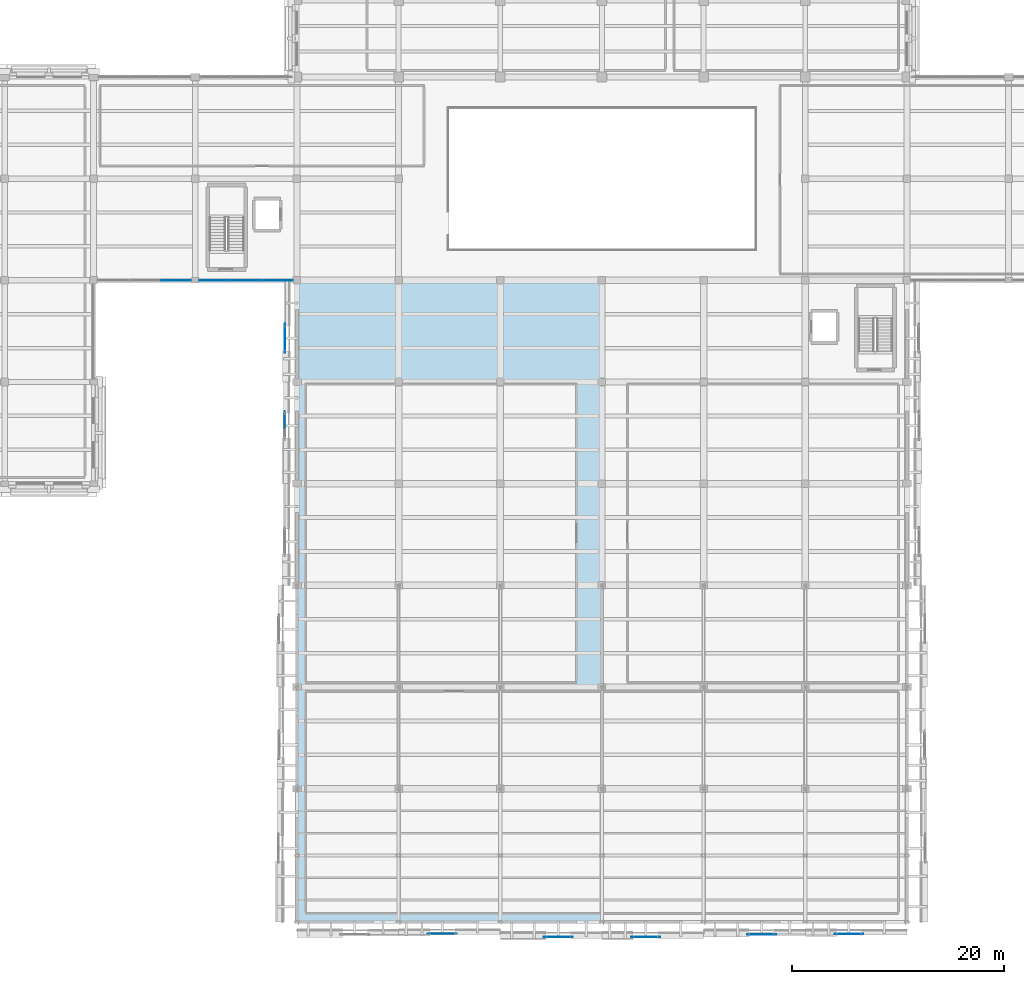
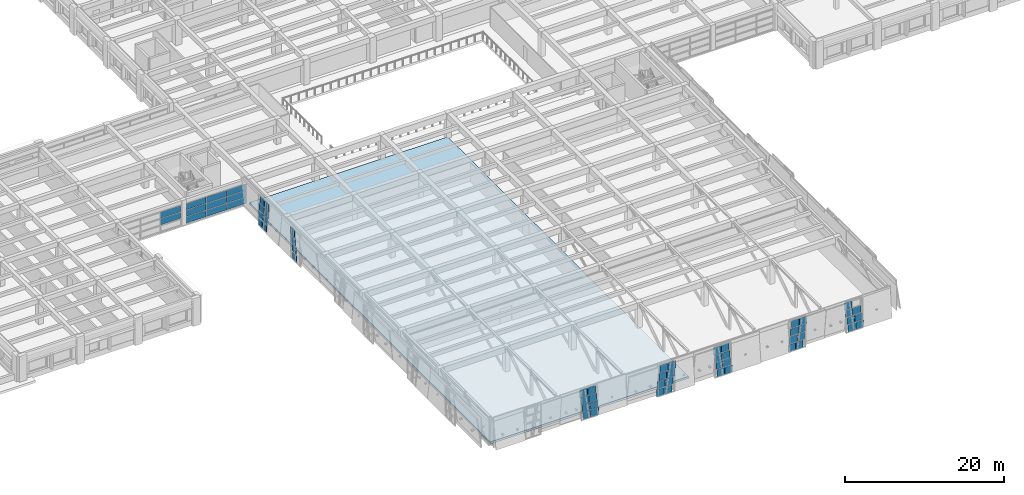
# One storey, part 31 of 62: 62 plates, 1 slab, 9 elements without a shape of their own.
"""IFC4 building model written with IfcOpenShell, lengths in metres."""

import ifcopenshell
import ifcopenshell.guid

model = None  # the IFC model being written
_history = None  # IfcOwnerHistory: only IFC2X3 demands one
_inside = {}  # id of a spatial element -> (the spatial element, [elements in it])
_under = {}  # id of a project, library or spatial element -> (it, [spatial elements below it])
_declared = {}  # id of a project -> (the project, [libraries it declares])
_typed = {}  # id of a type object -> (the type object, [elements of that type])
_made_of = {}  # id of a material, layer set ... -> (it, [elements and type objects made of it])


def new_model(schema):
    """Start an empty IFC model of exactly this schema.

    Asked for "IFC4X3", IfcOpenShell would pick the latest addendum, in which some entities
    have other attributes; the version numbers below select the first issue.
    IFC2X3 requires an IfcOwnerHistory on every rooted entity: one is made here for all.
    """
    global model, _history
    if schema == "IFC4X3":
        model = ifcopenshell.file(schema_version=(4, 3, 0, 0))
    else:
        model = ifcopenshell.file(schema=schema)
    _inside.clear()
    _under.clear()
    _declared.clear()
    _typed.clear()
    _made_of.clear()
    _history = None
    if model.schema == "IFC2X3":
        org = make("IfcOrganization", Name="unknown")
        user = make(
            "IfcPersonAndOrganization",
            ThePerson=make("IfcPerson", FamilyName="unknown"),
            TheOrganization=org,
        )
        app = make(
            "IfcApplication",
            ApplicationDeveloper=org,
            Version="unknown",
            ApplicationFullName="unknown",
            ApplicationIdentifier="unknown",
        )
        _history = make(
            "IfcOwnerHistory",
            OwningUser=user,
            OwningApplication=app,
            ChangeAction="ADDED",
            CreationDate=0,
        )
    return model


def make(cls, **values):
    """One entity of the class cls with the attributes given. An attribute that is None is left unset."""
    return model.create_entity(
        cls, **{name: value for name, value in values.items() if value is not None}
    )


def rooted(cls, **values):
    """An entity with a GlobalId (a new one), such as an element, a storey or a relation."""
    return make(cls, GlobalId=ifcopenshell.guid.new(), OwnerHistory=_history, **values)


def si_unit(unit_type, name, prefix=None):
    """IfcSIUnit, for example si_unit("LENGTHUNIT", "METRE", prefix="MILLI")."""
    return make("IfcSIUnit", UnitType=unit_type, Prefix=prefix, Name=name)


def assignment(units):
    """IfcUnitAssignment: the units of a project."""
    return None if units is None else make("IfcUnitAssignment", Units=units)


def point(xyz):
    """IfcCartesianPoint."""
    return None if xyz is None else make("IfcCartesianPoint", Coordinates=xyz)


def direction(xyz):
    """IfcDirection."""
    return None if xyz is None else make("IfcDirection", DirectionRatios=xyz)


def frame(location, z_axis=None, x_axis=None):
    """IfcAxis2Placement3D, a coordinate frame: its origin and axes. An axis left out is left unset."""
    return make(
        "IfcAxis2Placement3D",
        Location=point(location),
        Axis=direction(z_axis),
        RefDirection=direction(x_axis),
    )


def frame_2d(location, x_axis=None):
    """IfcAxis2Placement2D, a coordinate frame in the plane: its origin and x axis."""
    return make(
        "IfcAxis2Placement2D", Location=point(location), RefDirection=direction(x_axis)
    )


def origin():
    """The frame at (0, 0, 0) with its axes left unset."""
    return frame((0.0, 0.0, 0.0))


def origin_2d():
    """The frame at (0, 0) in the plane with its x axis left unset."""
    return frame_2d((0.0, 0.0))


def place(relative_to, where):
    """IfcLocalPlacement: puts the frame where relative to a parent placement (None: the world)."""
    return make(
        "IfcLocalPlacement", PlacementRelTo=relative_to, RelativePlacement=where
    )


def context(
    kind, dimensions, precision=None, world=None, true_north=None, identifier=None
):
    """IfcGeometricRepresentationContext, for example the 3D "Model" context."""
    return make(
        "IfcGeometricRepresentationContext",
        ContextIdentifier=identifier,
        ContextType=kind,
        CoordinateSpaceDimension=dimensions,
        Precision=precision,
        WorldCoordinateSystem=world,
        TrueNorth=true_north,
    )


def subcontext(parent, identifier, kind, view, scale=None):
    """IfcGeometricRepresentationSubContext, for example "Body" below "Model"."""
    return make(
        "IfcGeometricRepresentationSubContext",
        ContextIdentifier=identifier,
        ContextType=kind,
        ParentContext=parent,
        TargetScale=scale,
        TargetView=view,
    )


def project(units=None, contexts=None):
    """IfcProject with its units and contexts."""
    return rooted(
        "IfcProject",
        Name="project",
        RepresentationContexts=contexts,
        UnitsInContext=assignment(units),
    )


def spatial(cls, under=None, at=None, **own):
    """A site, building, storey or space (cls), placed at a placement, below another one or the project."""
    s = rooted(cls, ObjectPlacement=at, **own)
    if under is not None:
        _under.setdefault(under.id(), (under, []))[1].append(s)
    return s


def polyline(points):
    """IfcPolyline through the points."""
    return make("IfcPolyline", Points=[point(p) for p in points])


def profile(cls, at=None, kind="AREA", **sizes):
    """A parametric profile (cls). Its sizes go by their IFC names, for example OverallWidth=200.0."""
    return make(cls, ProfileType=kind, Position=at, **sizes)


def rectangle(**sizes):
    """IfcRectangleProfileDef."""
    return profile("IfcRectangleProfileDef", **sizes)


def outline(outer, holes=None, kind="AREA"):
    """IfcArbitraryClosedProfileDef: a profile drawn as a closed curve; with holes, ...WithVoids."""
    if holes is None:
        return make("IfcArbitraryClosedProfileDef", ProfileType=kind, OuterCurve=outer)
    return make(
        "IfcArbitraryProfileDefWithVoids",
        ProfileType=kind,
        OuterCurve=outer,
        InnerCurves=holes,
    )


def extrude(swept, where, along, depth):
    """IfcExtrudedAreaSolid: the profile swept, set in the frame where, extruded along a direction by depth."""
    return make(
        "IfcExtrudedAreaSolid",
        SweptArea=swept,
        Position=where,
        ExtrudedDirection=direction(along),
        Depth=depth,
    )


def shape(context_of_items, identifier, shape_type, items):
    """IfcShapeRepresentation: the items that make up one representation, for example the "Body"."""
    return make(
        "IfcShapeRepresentation",
        ContextOfItems=context_of_items,
        RepresentationIdentifier=identifier,
        RepresentationType=shape_type,
        Items=items,
    )


def material(Name=None, Category=None):
    """IfcMaterial."""
    return make("IfcMaterial", Name=Name, Category=Category)


def layer(
    of_material, thickness, ventilated=None, Name=None, Category=None, Priority=None
):
    """IfcMaterialLayer: one layer of a wall or slab, of a material (None: an air gap)."""
    return make(
        "IfcMaterialLayer",
        Material=of_material,
        LayerThickness=thickness,
        IsVentilated=ventilated,
        Name=Name,
        Category=Category,
        Priority=Priority,
    )


def layer_set(layers, Name=None):
    """IfcMaterialLayerSet."""
    return make("IfcMaterialLayerSet", MaterialLayers=layers, LayerSetName=Name)


def made_of(thing, what):
    """Note that an element or type object is made of a material, layer set ...; save() writes the relation."""
    if what is not None:
        _made_of.setdefault(what.id(), (what, []))[1].append(thing)
    return thing


def type_object(cls, material=None, **own):
    """A type object (cls), such as IfcWallType, which elements share."""
    return made_of(rooted(cls, **own), material)


def element(
    cls,
    number,
    at=None,
    inside=None,
    cuts=None,
    type_object=None,
    material=None,
    context=None,
    identifier="Body",
    shape_type=None,
    held_by="IfcProductDefinitionShape",
    body=None,
    shapes=None,
    **own,
):
    """One element of the class cls, such as IfcWall. Its Tag is "e" and its number.

    at: its placement. inside: the storey or other place that contains it. cuts: it is an
    opening in that element (IfcRelVoidsElement). A single representation is given by context,
    identifier, shape_type and body (its items); several are given by shapes. held_by: the class
    of the entity that holds the representations. save() writes the other relations.
    """
    e = rooted(cls, Tag="e%d" % number, ObjectPlacement=at, **own)
    if body is not None:
        shapes = [shape(context, identifier, shape_type, body)]
    if shapes is not None:
        e.Representation = make(held_by, Representations=shapes)
    if inside is not None:
        _inside.setdefault(inside.id(), (inside, []))[1].append(e)
    if cuts is not None:
        rooted(
            "IfcRelVoidsElement", RelatingBuildingElement=cuts, RelatedOpeningElement=e
        )
    if type_object is not None:
        _typed.setdefault(type_object.id(), (type_object, []))[1].append(e)
    return made_of(e, material)


def aggregate(whole, parts):
    """IfcRelAggregates: a whole, such as a stair, and the parts it consists of."""
    return rooted("IfcRelAggregates", RelatingObject=whole, RelatedObjects=parts)


def save(model, path):
    """Write the relations noted so far, then the file.

    IfcRelAggregates (storeys below a building ...), IfcRelContainedInSpatialStructure (elements
    in a storey), IfcRelDefinesByType, IfcRelAssociatesMaterial and IfcRelDeclares: one each for
    every whole, place, type object, material and project.
    """
    for whole, parts in _under.values():
        aggregate(whole, parts)
    for where, things in _inside.values():
        rooted(
            "IfcRelContainedInSpatialStructure",
            RelatedElements=things,
            RelatingStructure=where,
        )
    for kind, things in _typed.values():
        rooted("IfcRelDefinesByType", RelatedObjects=things, RelatingType=kind)
    for what, things in _made_of.values():
        rooted("IfcRelAssociatesMaterial", RelatedObjects=things, RelatingMaterial=what)
    for by, libraries in _declared.values():
        rooted("IfcRelDeclares", RelatingContext=by, RelatedDefinitions=libraries)
    model.write(path)


model = new_model("IFC4")

# Units and contexts
model_context = context("Model", 3, precision=1e-05, world=origin(), true_north=direction((0.0, 1.0)))
body_context = subcontext(model_context, "Body", "Model", "MODEL_VIEW")
ifc_project = project(units=[si_unit("LENGTHUNIT", "METRE"), si_unit("AREAUNIT", "SQUARE_METRE"), si_unit("VOLUMEUNIT", "CUBIC_METRE"), si_unit("PLANEANGLEUNIT", "RADIAN"), si_unit("MASSUNIT", "GRAM", prefix="KILO")], contexts=[model_context])

# Site, building, storey
site_placement = place(None, origin())
site = spatial("IfcSite", under=ifc_project, at=site_placement, CompositionType="ELEMENT")
building_placement = place(site_placement, origin())
building = spatial("IfcBuilding", under=site, at=building_placement, Name="Bempovik Park Faculty of Sciences", CompositionType="ELEMENT")
storey_placement = place(building_placement, frame((0.0, 0.0, 9.89990234375)))
storey = spatial("IfcBuildingStorey", under=building, at=storey_placement, Name="L02", CompositionType="ELEMENT", Elevation=9.89990234375)

# Curtain wall, plates
ifc_material_1 = material(Name="Tempered laminated low-E glass", Category="glass")
ifc_layer_1 = layer(ifc_material_1, 0.159912109375)
ifc_layer_set_1 = layer_set([ifc_layer_1], Name="Tempered laminated low-E glass")
curtain_wall_type_1 = type_object("IfcCurtainWallType", Name="CW-41 Curtain 6600x3800", PredefinedType="USERDEFINED", material=ifc_layer_set_1)
curtain_wall_1_placement = place(storey_placement, origin())
curtain_wall_1 = element("IfcCurtainWall", 1, at=curtain_wall_1_placement, inside=storey, type_object=curtain_wall_type_1, Name="L02 Unitised Curtain Wall (67.8,40.8)", ObjectType="UNITISED CURTAIN WALL", PredefinedType="USERDEFINED")
ifc_layer_2 = layer(ifc_material_1, 0.033935546875)
ifc_layer_set_2 = layer_set([ifc_layer_2], Name="Tempered laminated low-E glass")
plate_type_1 = type_object("IfcPlateType", Name="CP-19 Curtain Panel 34mm", PredefinedType="CURTAIN_PANEL", material=ifc_layer_set_2)
plate_1_placement = place(storey_placement, frame((48.56689453125, 67.800048828125, 1.066650390625), z_axis=(0.0, 0.0, 1.0), x_axis=(1.0, 0.0, 0.0)))
plate_1 = element("IfcPlate", 2, at=plate_1_placement, type_object=plate_type_1, Name="CW-BAY-L02-678-408 Panel 2-1", PredefinedType="CURTAIN_PANEL", context=body_context, shape_type="SweptSolid", body=[
    extrude(rectangle(XDim=2.882080078125, YDim=0.035888671875, at=origin_2d()), origin(), (0.0, 0.0, 1.0), 0.94677734375),
])
plate_2_placement = place(storey_placement, frame((48.56689453125, 67.800048828125, 2.093505859375), z_axis=(0.0, 0.0, 1.0), x_axis=(1.0, 0.0, 0.0)))
plate_2 = element("IfcPlate", 3, at=plate_2_placement, type_object=plate_type_1, Name="CW-BAY-L02-678-408 Panel 2-2", PredefinedType="CURTAIN_PANEL", context=body_context, shape_type="SweptSolid", body=[
    extrude(rectangle(XDim=2.882080078125, YDim=0.035888671875, at=origin_2d()), origin(), (0.0, 0.0, 1.0), 0.94677734375),
])
aggregate(curtain_wall_1, [plate_1, plate_2])

curtain_wall_2_placement = place(storey_placement, origin())
curtain_wall_2 = element("IfcCurtainWall", 4, at=curtain_wall_2_placement, inside=storey, type_object=curtain_wall_type_1, Name="L02 Unitised Curtain Wall (67.8,50.4)", ObjectType="UNITISED CURTAIN WALL", PredefinedType="USERDEFINED")
plate_3_placement = place(storey_placement, frame((52.234619140625, 67.800048828125, 1.066650390625), z_axis=(0.0, 0.0, 1.0), x_axis=(1.0, 0.0, 0.0)))
plate_3 = element("IfcPlate", 5, at=plate_3_placement, type_object=plate_type_1, Name="CW-BAY-L02-678-504 Panel 0-1", PredefinedType="CURTAIN_PANEL", context=body_context, shape_type="SweptSolid", body=[
    extrude(rectangle(XDim=2.88525390625, YDim=0.035888671875, at=origin_2d()), origin(), (0.0, 0.0, 1.0), 0.94677734375),
])
plate_4_placement = place(storey_placement, frame((52.234619140625, 67.800048828125, 2.093505859375), z_axis=(0.0, 0.0, 1.0), x_axis=(1.0, 0.0, 0.0)))
plate_4 = element("IfcPlate", 6, at=plate_4_placement, type_object=plate_type_1, Name="CW-BAY-L02-678-504 Panel 0-2", PredefinedType="CURTAIN_PANEL", context=body_context, shape_type="SweptSolid", body=[
    extrude(rectangle(XDim=2.88525390625, YDim=0.035888671875, at=origin_2d()), origin(), (0.0, 0.0, 1.0), 0.94677734375),
])
plate_5_placement = place(storey_placement, frame((55.199951171875, 67.800048828125, 1.066650390625), z_axis=(0.0, 0.0, 1.0), x_axis=(1.0, 0.0, 0.0)))
plate_5 = element("IfcPlate", 7, at=plate_5_placement, type_object=plate_type_1, Name="CW-BAY-L02-678-504 Panel 1-1", PredefinedType="CURTAIN_PANEL", context=body_context, shape_type="SweptSolid", body=[
    extrude(rectangle(XDim=2.88525390625, YDim=0.035888671875, at=origin_2d()), origin(), (0.0, 0.0, 1.0), 0.94677734375),
])
plate_6_placement = place(storey_placement, frame((55.199951171875, 67.800048828125, 2.093505859375), z_axis=(0.0, 0.0, 1.0), x_axis=(1.0, 0.0, 0.0)))
plate_6 = element("IfcPlate", 8, at=plate_6_placement, type_object=plate_type_1, Name="CW-BAY-L02-678-504 Panel 1-2", PredefinedType="CURTAIN_PANEL", context=body_context, shape_type="SweptSolid", body=[
    extrude(rectangle(XDim=2.88525390625, YDim=0.035888671875, at=origin_2d()), origin(), (0.0, 0.0, 1.0), 0.94677734375),
])
plate_7_placement = place(storey_placement, frame((58.165283203125, 67.800048828125, 1.066650390625), z_axis=(0.0, 0.0, 1.0), x_axis=(1.0, 0.0, 0.0)))
plate_7 = element("IfcPlate", 9, at=plate_7_placement, type_object=plate_type_1, Name="CW-BAY-L02-678-504 Panel 2-1", PredefinedType="CURTAIN_PANEL", context=body_context, shape_type="SweptSolid", body=[
    extrude(rectangle(XDim=2.88525390625, YDim=0.035888671875, at=origin_2d()), origin(), (0.0, 0.0, 1.0), 0.94677734375),
])
plate_8_placement = place(storey_placement, frame((58.165283203125, 67.800048828125, 2.093505859375), z_axis=(0.0, 0.0, 1.0), x_axis=(1.0, 0.0, 0.0)))
plate_8 = element("IfcPlate", 10, at=plate_8_placement, type_object=plate_type_1, Name="CW-BAY-L02-678-504 Panel 2-2", PredefinedType="CURTAIN_PANEL", context=body_context, shape_type="SweptSolid", body=[
    extrude(rectangle(XDim=2.88525390625, YDim=0.035888671875, at=origin_2d()), origin(), (0.0, 0.0, 1.0), 0.94677734375),
])

ifc_layer_3 = layer(ifc_material_1, 0.159912109375)
ifc_layer_set_3 = layer_set([ifc_layer_3], Name="Tempered laminated low-E glass")
curtain_wall_type_2 = type_object("IfcCurtainWallType", Name="CW-61 Curtain 2400x4200", PredefinedType="USERDEFINED", material=ifc_layer_set_3)
curtain_wall_3_placement = place(storey_placement, origin())
curtain_wall_3 = element("IfcCurtainWall", 11, at=curtain_wall_3_placement, inside=storey, type_object=curtain_wall_type_2, Name="L02 Crystal Slantwise Light Fold (7.2,69.6)", ObjectType="UNITISED CURTAIN WALL", PredefinedType="USERDEFINED")
ifc_layer_4 = layer(ifc_material_1, 0.035888671875)
ifc_layer_set_4 = layer_set([ifc_layer_4], Name="Tempered laminated low-E glass")
plate_type_2 = type_object("IfcPlateType", Name="CP-22 Curtain Panel 36mm", PredefinedType="CURTAIN_PANEL", material=ifc_layer_set_4)
plate_9_placement = place(storey_placement, frame((73.405029296875, 6.10400390625, -0.3798828125), z_axis=(0.0, 0.0, 1.0), x_axis=(1.0, 0.0, 0.0)))
plate_9 = element("IfcPlate", 12, at=plate_9_placement, type_object=plate_type_2, Name="CW-FOLD-L02-72-696 Panel 0-0", PredefinedType="CURTAIN_PANEL", context=body_context, shape_type="SweptSolid", body=[
    extrude(rectangle(XDim=1.070068359375, YDim=0.035888671875, at=origin_2d()), origin(), (0.0, 0.0, 1.0), 1.0849609375),
])
plate_10_placement = place(storey_placement, frame((73.235107421875, 6.10400390625, 0.78515625), z_axis=(0.0, 0.0, 1.0), x_axis=(1.0, 0.0, 0.0)))
plate_10 = element("IfcPlate", 13, at=plate_10_placement, type_object=plate_type_2, Name="CW-FOLD-L02-72-696 Panel 0-1", PredefinedType="CURTAIN_PANEL", context=body_context, shape_type="SweptSolid", body=[
    extrude(rectangle(XDim=1.070068359375, YDim=0.035888671875, at=origin_2d()), origin(), (0.0, 0.0, 1.0), 1.0849609375),
])
plate_11_placement = place(storey_placement, frame((73.06494140625, 6.10400390625, 1.9501953125), z_axis=(0.0, 0.0, 1.0), x_axis=(1.0, 0.0, 0.0)))
plate_11 = element("IfcPlate", 14, at=plate_11_placement, type_object=plate_type_2, Name="CW-FOLD-L02-72-696 Panel 0-2", PredefinedType="CURTAIN_PANEL", context=body_context, shape_type="SweptSolid", body=[
    extrude(rectangle(XDim=1.070068359375, YDim=0.035888671875, at=origin_2d()), origin(), (0.0, 0.0, 1.0), 1.0849609375),
])
plate_12_placement = place(storey_placement, frame((72.89501953125, 6.10400390625, 3.115234375), z_axis=(0.0, 0.0, 1.0), x_axis=(1.0, 0.0, 0.0)))
plate_12 = element("IfcPlate", 15, at=plate_12_placement, type_object=plate_type_2, Name="CW-FOLD-L02-72-696 Panel 0-3", PredefinedType="CURTAIN_PANEL", context=body_context, shape_type="SweptSolid", body=[
    extrude(rectangle(XDim=1.070068359375, YDim=0.035888671875, at=origin_2d()), origin(), (0.0, 0.0, 1.0), 1.0849609375),
])
plate_13_placement = place(storey_placement, frame((74.554931640625, 6.10400390625, -0.3798828125), z_axis=(0.0, 0.0, 1.0), x_axis=(1.0, 0.0, 0.0)))
plate_13 = element("IfcPlate", 16, at=plate_13_placement, type_object=plate_type_2, Name="CW-FOLD-L02-72-696 Panel 1-0", PredefinedType="CURTAIN_PANEL", context=body_context, shape_type="SweptSolid", body=[
    extrude(rectangle(XDim=1.070068359375, YDim=0.035888671875, at=origin_2d()), origin(), (0.0, 0.0, 1.0), 1.0849609375),
])
plate_14_placement = place(storey_placement, frame((74.385009765625, 6.10400390625, 0.78515625), z_axis=(0.0, 0.0, 1.0), x_axis=(1.0, 0.0, 0.0)))
plate_14 = element("IfcPlate", 17, at=plate_14_placement, type_object=plate_type_2, Name="CW-FOLD-L02-72-696 Panel 1-1", PredefinedType="CURTAIN_PANEL", context=body_context, shape_type="SweptSolid", body=[
    extrude(rectangle(XDim=1.070068359375, YDim=0.035888671875, at=origin_2d()), origin(), (0.0, 0.0, 1.0), 1.0849609375),
])
plate_15_placement = place(storey_placement, frame((74.215087890625, 6.10400390625, 1.9501953125), z_axis=(0.0, 0.0, 1.0), x_axis=(1.0, 0.0, 0.0)))
plate_15 = element("IfcPlate", 18, at=plate_15_placement, type_object=plate_type_2, Name="CW-FOLD-L02-72-696 Panel 1-2", PredefinedType="CURTAIN_PANEL", context=body_context, shape_type="SweptSolid", body=[
    extrude(rectangle(XDim=1.070068359375, YDim=0.035888671875, at=origin_2d()), origin(), (0.0, 0.0, 1.0), 1.0849609375),
])
plate_16_placement = place(storey_placement, frame((74.044921875, 6.10400390625, 3.115234375), z_axis=(0.0, 0.0, 1.0), x_axis=(1.0, 0.0, 0.0)))
plate_16 = element("IfcPlate", 19, at=plate_16_placement, type_object=plate_type_2, Name="CW-FOLD-L02-72-696 Panel 1-3", PredefinedType="CURTAIN_PANEL", context=body_context, shape_type="SweptSolid", body=[
    extrude(rectangle(XDim=1.070068359375, YDim=0.035888671875, at=origin_2d()), origin(), (0.0, 0.0, 1.0), 1.0849609375),
])
aggregate(curtain_wall_3, [plate_9, plate_10, plate_11, plate_12, plate_13, plate_14, plate_15, plate_16])

curtain_wall_4_placement = place(storey_placement, origin())
curtain_wall_4 = element("IfcCurtainWall", 20, at=curtain_wall_4_placement, inside=storey, type_object=curtain_wall_type_2, Name="L02 Crystal Slantwise Light Fold (7.2,79.2)", ObjectType="UNITISED CURTAIN WALL", PredefinedType="USERDEFINED")
plate_17_placement = place(storey_placement, frame((83.844970703125, 5.799560546875, -0.3798828125), z_axis=(0.0, 0.0, 1.0), x_axis=(1.0, 0.0, 0.0)))
plate_17 = element("IfcPlate", 21, at=plate_17_placement, type_object=plate_type_2, Name="CW-FOLD-L02-72-792 Panel 0-0", PredefinedType="CURTAIN_PANEL", context=body_context, shape_type="SweptSolid", body=[
    extrude(rectangle(XDim=1.070068359375, YDim=0.035888671875, at=origin_2d()), origin(), (0.0, 0.0, 1.0), 1.0849609375),
])
plate_18_placement = place(storey_placement, frame((84.014892578125, 5.799560546875, 0.78515625), z_axis=(0.0, 0.0, 1.0), x_axis=(1.0, 0.0, 0.0)))
plate_18 = element("IfcPlate", 22, at=plate_18_placement, type_object=plate_type_2, Name="CW-FOLD-L02-72-792 Panel 0-1", PredefinedType="CURTAIN_PANEL", context=body_context, shape_type="SweptSolid", body=[
    extrude(rectangle(XDim=1.070068359375, YDim=0.035888671875, at=origin_2d()), origin(), (0.0, 0.0, 1.0), 1.0849609375),
])
plate_19_placement = place(storey_placement, frame((84.18505859375, 5.799560546875, 1.9501953125), z_axis=(0.0, 0.0, 1.0), x_axis=(1.0, 0.0, 0.0)))
plate_19 = element("IfcPlate", 23, at=plate_19_placement, type_object=plate_type_2, Name="CW-FOLD-L02-72-792 Panel 0-2", PredefinedType="CURTAIN_PANEL", context=body_context, shape_type="SweptSolid", body=[
    extrude(rectangle(XDim=1.070068359375, YDim=0.035888671875, at=origin_2d()), origin(), (0.0, 0.0, 1.0), 1.0849609375),
])
plate_20_placement = place(storey_placement, frame((84.35498046875, 5.799560546875, 3.115234375), z_axis=(0.0, 0.0, 1.0), x_axis=(1.0, 0.0, 0.0)))
plate_20 = element("IfcPlate", 24, at=plate_20_placement, type_object=plate_type_2, Name="CW-FOLD-L02-72-792 Panel 0-3", PredefinedType="CURTAIN_PANEL", context=body_context, shape_type="SweptSolid", body=[
    extrude(rectangle(XDim=1.070068359375, YDim=0.035888671875, at=origin_2d()), origin(), (0.0, 0.0, 1.0), 1.0849609375),
])
plate_21_placement = place(storey_placement, frame((84.9951171875, 5.799560546875, -0.3798828125), z_axis=(0.0, 0.0, 1.0), x_axis=(1.0, 0.0, 0.0)))
plate_21 = element("IfcPlate", 25, at=plate_21_placement, type_object=plate_type_2, Name="CW-FOLD-L02-72-792 Panel 1-0", PredefinedType="CURTAIN_PANEL", context=body_context, shape_type="SweptSolid", body=[
    extrude(rectangle(XDim=1.070068359375, YDim=0.035888671875, at=origin_2d()), origin(), (0.0, 0.0, 1.0), 1.0849609375),
])
plate_22_placement = place(storey_placement, frame((85.1650390625, 5.799560546875, 0.78515625), z_axis=(0.0, 0.0, 1.0), x_axis=(1.0, 0.0, 0.0)))
plate_22 = element("IfcPlate", 26, at=plate_22_placement, type_object=plate_type_2, Name="CW-FOLD-L02-72-792 Panel 1-1", PredefinedType="CURTAIN_PANEL", context=body_context, shape_type="SweptSolid", body=[
    extrude(rectangle(XDim=1.070068359375, YDim=0.035888671875, at=origin_2d()), origin(), (0.0, 0.0, 1.0), 1.0849609375),
])
plate_23_placement = place(storey_placement, frame((85.3349609375, 5.799560546875, 1.9501953125), z_axis=(0.0, 0.0, 1.0), x_axis=(1.0, 0.0, 0.0)))
plate_23 = element("IfcPlate", 27, at=plate_23_placement, type_object=plate_type_2, Name="CW-FOLD-L02-72-792 Panel 1-2", PredefinedType="CURTAIN_PANEL", context=body_context, shape_type="SweptSolid", body=[
    extrude(rectangle(XDim=1.070068359375, YDim=0.035888671875, at=origin_2d()), origin(), (0.0, 0.0, 1.0), 1.0849609375),
])
plate_24_placement = place(storey_placement, frame((85.5048828125, 5.799560546875, 3.115234375), z_axis=(0.0, 0.0, 1.0), x_axis=(1.0, 0.0, 0.0)))
plate_24 = element("IfcPlate", 28, at=plate_24_placement, type_object=plate_type_2, Name="CW-FOLD-L02-72-792 Panel 1-3", PredefinedType="CURTAIN_PANEL", context=body_context, shape_type="SweptSolid", body=[
    extrude(rectangle(XDim=1.070068359375, YDim=0.035888671875, at=origin_2d()), origin(), (0.0, 0.0, 1.0), 1.0849609375),
])
aggregate(curtain_wall_4, [plate_17, plate_18, plate_19, plate_20, plate_21, plate_22, plate_23, plate_24])

curtain_wall_5_placement = place(storey_placement, origin())
curtain_wall_5 = element("IfcCurtainWall", 29, at=curtain_wall_5_placement, inside=storey, type_object=curtain_wall_type_2, Name="L02 Crystal Slantwise Light Fold (7.2,88.8)", ObjectType="UNITISED CURTAIN WALL", PredefinedType="USERDEFINED")
plate_25_placement = place(storey_placement, frame((92.60498046875, 5.799560546875, -0.3798828125), z_axis=(0.0, 0.0, 1.0), x_axis=(1.0, 0.0, 0.0)))
plate_25 = element("IfcPlate", 30, at=plate_25_placement, type_object=plate_type_2, Name="CW-FOLD-L02-72-888 Panel 0-0", PredefinedType="CURTAIN_PANEL", context=body_context, shape_type="SweptSolid", body=[
    extrude(rectangle(XDim=1.070068359375, YDim=0.035888671875, at=origin_2d()), origin(), (0.0, 0.0, 1.0), 1.0849609375),
])
plate_26_placement = place(storey_placement, frame((92.43505859375, 5.799560546875, 0.78515625), z_axis=(0.0, 0.0, 1.0), x_axis=(1.0, 0.0, 0.0)))
plate_26 = element("IfcPlate", 31, at=plate_26_placement, type_object=plate_type_2, Name="CW-FOLD-L02-72-888 Panel 0-1", PredefinedType="CURTAIN_PANEL", context=body_context, shape_type="SweptSolid", body=[
    extrude(rectangle(XDim=1.070068359375, YDim=0.035888671875, at=origin_2d()), origin(), (0.0, 0.0, 1.0), 1.0849609375),
])
plate_27_placement = place(storey_placement, frame((92.264892578125, 5.799560546875, 1.9501953125), z_axis=(0.0, 0.0, 1.0), x_axis=(1.0, 0.0, 0.0)))
plate_27 = element("IfcPlate", 32, at=plate_27_placement, type_object=plate_type_2, Name="CW-FOLD-L02-72-888 Panel 0-2", PredefinedType="CURTAIN_PANEL", context=body_context, shape_type="SweptSolid", body=[
    extrude(rectangle(XDim=1.070068359375, YDim=0.035888671875, at=origin_2d()), origin(), (0.0, 0.0, 1.0), 1.0849609375),
])
plate_28_placement = place(storey_placement, frame((92.094970703125, 5.799560546875, 3.115234375), z_axis=(0.0, 0.0, 1.0), x_axis=(1.0, 0.0, 0.0)))
plate_28 = element("IfcPlate", 33, at=plate_28_placement, type_object=plate_type_2, Name="CW-FOLD-L02-72-888 Panel 0-3", PredefinedType="CURTAIN_PANEL", context=body_context, shape_type="SweptSolid", body=[
    extrude(rectangle(XDim=1.070068359375, YDim=0.035888671875, at=origin_2d()), origin(), (0.0, 0.0, 1.0), 1.0849609375),
])
plate_29_placement = place(storey_placement, frame((93.7548828125, 5.799560546875, -0.3798828125), z_axis=(0.0, 0.0, 1.0), x_axis=(1.0, 0.0, 0.0)))
plate_29 = element("IfcPlate", 34, at=plate_29_placement, type_object=plate_type_2, Name="CW-FOLD-L02-72-888 Panel 1-0", PredefinedType="CURTAIN_PANEL", context=body_context, shape_type="SweptSolid", body=[
    extrude(rectangle(XDim=1.070068359375, YDim=0.035888671875, at=origin_2d()), origin(), (0.0, 0.0, 1.0), 1.0849609375),
])
plate_30_placement = place(storey_placement, frame((93.5849609375, 5.799560546875, 0.78515625), z_axis=(0.0, 0.0, 1.0), x_axis=(1.0, 0.0, 0.0)))
plate_30 = element("IfcPlate", 35, at=plate_30_placement, type_object=plate_type_2, Name="CW-FOLD-L02-72-888 Panel 1-1", PredefinedType="CURTAIN_PANEL", context=body_context, shape_type="SweptSolid", body=[
    extrude(rectangle(XDim=1.070068359375, YDim=0.035888671875, at=origin_2d()), origin(), (0.0, 0.0, 1.0), 1.0849609375),
])
plate_31_placement = place(storey_placement, frame((93.4150390625, 5.799560546875, 1.9501953125), z_axis=(0.0, 0.0, 1.0), x_axis=(1.0, 0.0, 0.0)))
plate_31 = element("IfcPlate", 36, at=plate_31_placement, type_object=plate_type_2, Name="CW-FOLD-L02-72-888 Panel 1-2", PredefinedType="CURTAIN_PANEL", context=body_context, shape_type="SweptSolid", body=[
    extrude(rectangle(XDim=1.070068359375, YDim=0.035888671875, at=origin_2d()), origin(), (0.0, 0.0, 1.0), 1.0849609375),
])
plate_32_placement = place(storey_placement, frame((93.2451171875, 5.799560546875, 3.115234375), z_axis=(0.0, 0.0, 1.0), x_axis=(1.0, 0.0, 0.0)))
plate_32 = element("IfcPlate", 37, at=plate_32_placement, type_object=plate_type_2, Name="CW-FOLD-L02-72-888 Panel 1-3", PredefinedType="CURTAIN_PANEL", context=body_context, shape_type="SweptSolid", body=[
    extrude(rectangle(XDim=1.070068359375, YDim=0.035888671875, at=origin_2d()), origin(), (0.0, 0.0, 1.0), 1.0849609375),
])
aggregate(curtain_wall_5, [plate_25, plate_26, plate_27, plate_28, plate_29, plate_30, plate_31, plate_32])

curtain_wall_6_placement = place(storey_placement, origin())
curtain_wall_6 = element("IfcCurtainWall", 38, at=curtain_wall_6_placement, inside=storey, type_object=curtain_wall_type_2, Name="L02 Crystal Slantwise Light Fold (7.2,98.4)", ObjectType="UNITISED CURTAIN WALL", PredefinedType="USERDEFINED")
plate_33_placement = place(storey_placement, frame((103.044921875, 6.047607421875, -0.3798828125), z_axis=(0.0, 0.0, 1.0), x_axis=(1.0, 0.0, 0.0)))
plate_33 = element("IfcPlate", 39, at=plate_33_placement, type_object=plate_type_2, Name="CW-FOLD-L02-72-984 Panel 0-0", PredefinedType="CURTAIN_PANEL", context=body_context, shape_type="SweptSolid", body=[
    extrude(rectangle(XDim=1.070068359375, YDim=0.035888671875, at=origin_2d()), origin(), (0.0, 0.0, 1.0), 1.0849609375),
])
plate_34_placement = place(storey_placement, frame((103.215087890625, 6.047607421875, 0.78515625), z_axis=(0.0, 0.0, 1.0), x_axis=(1.0, 0.0, 0.0)))
plate_34 = element("IfcPlate", 40, at=plate_34_placement, type_object=plate_type_2, Name="CW-FOLD-L02-72-984 Panel 0-1", PredefinedType="CURTAIN_PANEL", context=body_context, shape_type="SweptSolid", body=[
    extrude(rectangle(XDim=1.070068359375, YDim=0.035888671875, at=origin_2d()), origin(), (0.0, 0.0, 1.0), 1.0849609375),
])
plate_35_placement = place(storey_placement, frame((103.385009765625, 6.047607421875, 1.9501953125), z_axis=(0.0, 0.0, 1.0), x_axis=(1.0, 0.0, 0.0)))
plate_35 = element("IfcPlate", 41, at=plate_35_placement, type_object=plate_type_2, Name="CW-FOLD-L02-72-984 Panel 0-2", PredefinedType="CURTAIN_PANEL", context=body_context, shape_type="SweptSolid", body=[
    extrude(rectangle(XDim=1.070068359375, YDim=0.035888671875, at=origin_2d()), origin(), (0.0, 0.0, 1.0), 1.0849609375),
])
plate_36_placement = place(storey_placement, frame((103.554931640625, 6.047607421875, 3.115234375), z_axis=(0.0, 0.0, 1.0), x_axis=(1.0, 0.0, 0.0)))
plate_36 = element("IfcPlate", 42, at=plate_36_placement, type_object=plate_type_2, Name="CW-FOLD-L02-72-984 Panel 0-3", PredefinedType="CURTAIN_PANEL", context=body_context, shape_type="SweptSolid", body=[
    extrude(rectangle(XDim=1.070068359375, YDim=0.035888671875, at=origin_2d()), origin(), (0.0, 0.0, 1.0), 1.0849609375),
])
plate_37_placement = place(storey_placement, frame((104.195068359375, 6.047607421875, -0.3798828125), z_axis=(0.0, 0.0, 1.0), x_axis=(1.0, 0.0, 0.0)))
plate_37 = element("IfcPlate", 43, at=plate_37_placement, type_object=plate_type_2, Name="CW-FOLD-L02-72-984 Panel 1-0", PredefinedType="CURTAIN_PANEL", context=body_context, shape_type="SweptSolid", body=[
    extrude(rectangle(XDim=1.070068359375, YDim=0.035888671875, at=origin_2d()), origin(), (0.0, 0.0, 1.0), 1.0849609375),
])
plate_38_placement = place(storey_placement, frame((104.364990234375, 6.047607421875, 0.78515625), z_axis=(0.0, 0.0, 1.0), x_axis=(1.0, 0.0, 0.0)))
plate_38 = element("IfcPlate", 44, at=plate_38_placement, type_object=plate_type_2, Name="CW-FOLD-L02-72-984 Panel 1-1", PredefinedType="CURTAIN_PANEL", context=body_context, shape_type="SweptSolid", body=[
    extrude(rectangle(XDim=1.070068359375, YDim=0.035888671875, at=origin_2d()), origin(), (0.0, 0.0, 1.0), 1.0849609375),
])
plate_39_placement = place(storey_placement, frame((104.534912109375, 6.047607421875, 1.9501953125), z_axis=(0.0, 0.0, 1.0), x_axis=(1.0, 0.0, 0.0)))
plate_39 = element("IfcPlate", 45, at=plate_39_placement, type_object=plate_type_2, Name="CW-FOLD-L02-72-984 Panel 1-2", PredefinedType="CURTAIN_PANEL", context=body_context, shape_type="SweptSolid", body=[
    extrude(rectangle(XDim=1.070068359375, YDim=0.035888671875, at=origin_2d()), origin(), (0.0, 0.0, 1.0), 1.0849609375),
])
plate_40_placement = place(storey_placement, frame((104.705078125, 6.047607421875, 3.115234375), z_axis=(0.0, 0.0, 1.0), x_axis=(1.0, 0.0, 0.0)))
plate_40 = element("IfcPlate", 46, at=plate_40_placement, type_object=plate_type_2, Name="CW-FOLD-L02-72-984 Panel 1-3", PredefinedType="CURTAIN_PANEL", context=body_context, shape_type="SweptSolid", body=[
    extrude(rectangle(XDim=1.070068359375, YDim=0.035888671875, at=origin_2d()), origin(), (0.0, 0.0, 1.0), 1.0849609375),
])
aggregate(curtain_wall_6, [plate_33, plate_34, plate_35, plate_36, plate_37, plate_38, plate_39, plate_40])

curtain_wall_7_placement = place(storey_placement, origin())
curtain_wall_7 = element("IfcCurtainWall", 47, at=curtain_wall_7_placement, inside=storey, type_object=curtain_wall_type_2, Name="L02 Crystal Slantwise Light Fold (7.2,108.0)", ObjectType="UNITISED CURTAIN WALL", PredefinedType="USERDEFINED")
plate_41_placement = place(storey_placement, frame((111.804931640625, 6.079833984375, -0.3798828125), z_axis=(0.0, 0.0, 1.0), x_axis=(1.0, 0.0, 0.0)))
plate_41 = element("IfcPlate", 48, at=plate_41_placement, type_object=plate_type_2, Name="CW-FOLD-L02-72-1080 Panel 0-0", PredefinedType="CURTAIN_PANEL", context=body_context, shape_type="SweptSolid", body=[
    extrude(rectangle(XDim=1.070068359375, YDim=0.035888671875, at=origin_2d()), origin(), (0.0, 0.0, 1.0), 1.0849609375),
])
plate_42_placement = place(storey_placement, frame((111.635009765625, 6.079833984375, 0.78515625), z_axis=(0.0, 0.0, 1.0), x_axis=(1.0, 0.0, 0.0)))
plate_42 = element("IfcPlate", 49, at=plate_42_placement, type_object=plate_type_2, Name="CW-FOLD-L02-72-1080 Panel 0-1", PredefinedType="CURTAIN_PANEL", context=body_context, shape_type="SweptSolid", body=[
    extrude(rectangle(XDim=1.070068359375, YDim=0.035888671875, at=origin_2d()), origin(), (0.0, 0.0, 1.0), 1.0849609375),
])
plate_43_placement = place(storey_placement, frame((111.465087890625, 6.079833984375, 1.9501953125), z_axis=(0.0, 0.0, 1.0), x_axis=(1.0, 0.0, 0.0)))
plate_43 = element("IfcPlate", 50, at=plate_43_placement, type_object=plate_type_2, Name="CW-FOLD-L02-72-1080 Panel 0-2", PredefinedType="CURTAIN_PANEL", context=body_context, shape_type="SweptSolid", body=[
    extrude(rectangle(XDim=1.070068359375, YDim=0.035888671875, at=origin_2d()), origin(), (0.0, 0.0, 1.0), 1.0849609375),
])
plate_44_placement = place(storey_placement, frame((111.294921875, 6.079833984375, 3.115234375), z_axis=(0.0, 0.0, 1.0), x_axis=(1.0, 0.0, 0.0)))
plate_44 = element("IfcPlate", 51, at=plate_44_placement, type_object=plate_type_2, Name="CW-FOLD-L02-72-1080 Panel 0-3", PredefinedType="CURTAIN_PANEL", context=body_context, shape_type="SweptSolid", body=[
    extrude(rectangle(XDim=1.070068359375, YDim=0.035888671875, at=origin_2d()), origin(), (0.0, 0.0, 1.0), 1.0849609375),
])
plate_45_placement = place(storey_placement, frame((112.955078125, 6.079833984375, -0.3798828125), z_axis=(0.0, 0.0, 1.0), x_axis=(1.0, 0.0, 0.0)))
plate_45 = element("IfcPlate", 52, at=plate_45_placement, type_object=plate_type_2, Name="CW-FOLD-L02-72-1080 Panel 1-0", PredefinedType="CURTAIN_PANEL", context=body_context, shape_type="SweptSolid", body=[
    extrude(rectangle(XDim=1.070068359375, YDim=0.035888671875, at=origin_2d()), origin(), (0.0, 0.0, 1.0), 1.0849609375),
])
plate_46_placement = place(storey_placement, frame((112.784912109375, 6.079833984375, 0.78515625), z_axis=(0.0, 0.0, 1.0), x_axis=(1.0, 0.0, 0.0)))
plate_46 = element("IfcPlate", 53, at=plate_46_placement, type_object=plate_type_2, Name="CW-FOLD-L02-72-1080 Panel 1-1", PredefinedType="CURTAIN_PANEL", context=body_context, shape_type="SweptSolid", body=[
    extrude(rectangle(XDim=1.070068359375, YDim=0.035888671875, at=origin_2d()), origin(), (0.0, 0.0, 1.0), 1.0849609375),
])
plate_47_placement = place(storey_placement, frame((112.614990234375, 6.079833984375, 1.9501953125), z_axis=(0.0, 0.0, 1.0), x_axis=(1.0, 0.0, 0.0)))
plate_47 = element("IfcPlate", 54, at=plate_47_placement, type_object=plate_type_2, Name="CW-FOLD-L02-72-1080 Panel 1-2", PredefinedType="CURTAIN_PANEL", context=body_context, shape_type="SweptSolid", body=[
    extrude(rectangle(XDim=1.070068359375, YDim=0.035888671875, at=origin_2d()), origin(), (0.0, 0.0, 1.0), 1.0849609375),
])
aggregate(curtain_wall_7, [plate_41, plate_42, plate_43, plate_44, plate_45, plate_46, plate_47])

curtain_wall_8_placement = place(storey_placement, origin())
curtain_wall_8 = element("IfcCurtainWall", 55, at=curtain_wall_8_placement, inside=storey, type_object=curtain_wall_type_2, Name="L02 Crystal Slantwise Light Fold (60.0,48.6)", ObjectType="UNITISED CURTAIN WALL", PredefinedType="USERDEFINED")
plate_48_placement = place(storey_placement, frame((58.84765625, 54.39501953125, -0.3798828125), z_axis=(0.0, 0.0, 1.0), x_axis=(0.0, 1.0, 0.0)))
plate_48 = element("IfcPlate", 56, at=plate_48_placement, type_object=plate_type_2, Name="CW-FOLD-L02-600-486 Panel 1-0", PredefinedType="CURTAIN_PANEL", context=body_context, shape_type="SweptSolid", body=[
    extrude(rectangle(XDim=1.070068359375, YDim=0.035888671875, at=origin_2d()), origin(), (0.0, 0.0, 1.0), 1.0849609375),
])
plate_49_placement = place(storey_placement, frame((58.84765625, 54.56494140625, 0.78515625), z_axis=(0.0, 0.0, 1.0), x_axis=(0.0, 1.0, 0.0)))
plate_49 = element("IfcPlate", 57, at=plate_49_placement, type_object=plate_type_2, Name="CW-FOLD-L02-600-486 Panel 1-1", PredefinedType="CURTAIN_PANEL", context=body_context, shape_type="SweptSolid", body=[
    extrude(rectangle(XDim=1.070068359375, YDim=0.035888671875, at=origin_2d()), origin(), (0.0, 0.0, 1.0), 1.0849609375),
])
plate_50_placement = place(storey_placement, frame((58.84765625, 54.735107421875, 1.9501953125), z_axis=(0.0, 0.0, 1.0), x_axis=(0.0, 1.0, 0.0)))
plate_50 = element("IfcPlate", 58, at=plate_50_placement, type_object=plate_type_2, Name="CW-FOLD-L02-600-486 Panel 1-2", PredefinedType="CURTAIN_PANEL", context=body_context, shape_type="SweptSolid", body=[
    extrude(rectangle(XDim=1.070068359375, YDim=0.035888671875, at=origin_2d()), origin(), (0.0, 0.0, 1.0), 1.0849609375),
])
plate_51_placement = place(storey_placement, frame((58.84765625, 54.905029296875, 3.115234375), z_axis=(0.0, 0.0, 1.0), x_axis=(0.0, 1.0, 0.0)))
plate_51 = element("IfcPlate", 59, at=plate_51_placement, type_object=plate_type_2, Name="CW-FOLD-L02-600-486 Panel 1-3", PredefinedType="CURTAIN_PANEL", context=body_context, shape_type="SweptSolid", body=[
    extrude(rectangle(XDim=1.070068359375, YDim=0.035888671875, at=origin_2d()), origin(), (0.0, 0.0, 1.0), 1.0849609375),
])
aggregate(curtain_wall_8, [plate_48, plate_49, plate_50, plate_51])

curtain_wall_9_placement = place(storey_placement, origin())
curtain_wall_9 = element("IfcCurtainWall", 60, at=curtain_wall_9_placement, inside=storey, type_object=curtain_wall_type_2, Name="L02 Crystal Slantwise Light Fold (60.0,58.2)", ObjectType="UNITISED CURTAIN WALL", PredefinedType="USERDEFINED")
plate_52_placement = place(storey_placement, frame((58.8798828125, 62.0048828125, -0.3798828125), z_axis=(0.0, 0.0, 1.0), x_axis=(0.0, 1.0, 0.0)))
plate_52 = element("IfcPlate", 61, at=plate_52_placement, type_object=plate_type_2, Name="CW-FOLD-L02-600-582 Panel 0-0", PredefinedType="CURTAIN_PANEL", context=body_context, shape_type="SweptSolid", body=[
    extrude(rectangle(XDim=1.070068359375, YDim=0.035888671875, at=origin_2d()), origin(), (0.0, 0.0, 1.0), 1.0849609375),
])
plate_53_placement = place(storey_placement, frame((58.8798828125, 61.8349609375, 0.78515625), z_axis=(0.0, 0.0, 1.0), x_axis=(0.0, 1.0, 0.0)))
plate_53 = element("IfcPlate", 62, at=plate_53_placement, type_object=plate_type_2, Name="CW-FOLD-L02-600-582 Panel 0-1", PredefinedType="CURTAIN_PANEL", context=body_context, shape_type="SweptSolid", body=[
    extrude(rectangle(XDim=1.070068359375, YDim=0.035888671875, at=origin_2d()), origin(), (0.0, 0.0, 1.0), 1.0849609375),
])
plate_54_placement = place(storey_placement, frame((58.8798828125, 61.6650390625, 1.9501953125), z_axis=(0.0, 0.0, 1.0), x_axis=(0.0, 1.0, 0.0)))
plate_54 = element("IfcPlate", 63, at=plate_54_placement, type_object=plate_type_2, Name="CW-FOLD-L02-600-582 Panel 0-2", PredefinedType="CURTAIN_PANEL", context=body_context, shape_type="SweptSolid", body=[
    extrude(rectangle(XDim=1.070068359375, YDim=0.035888671875, at=origin_2d()), origin(), (0.0, 0.0, 1.0), 1.0849609375),
])
plate_55_placement = place(storey_placement, frame((58.8798828125, 61.4951171875, 3.115234375), z_axis=(0.0, 0.0, 1.0), x_axis=(0.0, 1.0, 0.0)))
plate_55 = element("IfcPlate", 64, at=plate_55_placement, type_object=plate_type_2, Name="CW-FOLD-L02-600-582 Panel 0-3", PredefinedType="CURTAIN_PANEL", context=body_context, shape_type="SweptSolid", body=[
    extrude(rectangle(XDim=1.070068359375, YDim=0.035888671875, at=origin_2d()), origin(), (0.0, 0.0, 1.0), 1.0849609375),
])
plate_56_placement = place(storey_placement, frame((58.8798828125, 63.155029296875, -0.3798828125), z_axis=(0.0, 0.0, 1.0), x_axis=(0.0, 1.0, 0.0)))
plate_56 = element("IfcPlate", 65, at=plate_56_placement, type_object=plate_type_2, Name="CW-FOLD-L02-600-582 Panel 1-0", PredefinedType="CURTAIN_PANEL", context=body_context, shape_type="SweptSolid", body=[
    extrude(rectangle(XDim=1.070068359375, YDim=0.035888671875, at=origin_2d()), origin(), (0.0, 0.0, 1.0), 1.0849609375),
])
plate_57_placement = place(storey_placement, frame((58.8798828125, 62.985107421875, 0.78515625), z_axis=(0.0, 0.0, 1.0), x_axis=(0.0, 1.0, 0.0)))
plate_57 = element("IfcPlate", 66, at=plate_57_placement, type_object=plate_type_2, Name="CW-FOLD-L02-600-582 Panel 1-1", PredefinedType="CURTAIN_PANEL", context=body_context, shape_type="SweptSolid", body=[
    extrude(rectangle(XDim=1.070068359375, YDim=0.035888671875, at=origin_2d()), origin(), (0.0, 0.0, 1.0), 1.0849609375),
])
plate_58_placement = place(storey_placement, frame((58.8798828125, 62.81494140625, 1.9501953125), z_axis=(0.0, 0.0, 1.0), x_axis=(0.0, 1.0, 0.0)))
plate_58 = element("IfcPlate", 67, at=plate_58_placement, type_object=plate_type_2, Name="CW-FOLD-L02-600-582 Panel 1-2", PredefinedType="CURTAIN_PANEL", context=body_context, shape_type="SweptSolid", body=[
    extrude(rectangle(XDim=1.070068359375, YDim=0.035888671875, at=origin_2d()), origin(), (0.0, 0.0, 1.0), 1.0849609375),
])
plate_59_placement = place(storey_placement, frame((58.8798828125, 62.64501953125, 3.115234375), z_axis=(0.0, 0.0, 1.0), x_axis=(0.0, 1.0, 0.0)))
plate_59 = element("IfcPlate", 68, at=plate_59_placement, type_object=plate_type_2, Name="CW-FOLD-L02-600-582 Panel 1-3", PredefinedType="CURTAIN_PANEL", context=body_context, shape_type="SweptSolid", body=[
    extrude(rectangle(XDim=1.070068359375, YDim=0.035888671875, at=origin_2d()), origin(), (0.0, 0.0, 1.0), 1.0849609375),
])
aggregate(curtain_wall_9, [plate_52, plate_53, plate_54, plate_55, plate_56, plate_57, plate_58, plate_59])

# Plate
ifc_material_2 = material(Name="Anodised architectural bronze")
ifc_layer_5 = layer(ifc_material_2, 0.048095703125)
ifc_layer_set_5 = layer_set([ifc_layer_5], Name="Anodised architectural bronze")
plate_type_3 = type_object("IfcPlateType", Name="CP-24 Curtain Panel 48mm", PredefinedType="CURTAIN_PANEL", material=ifc_layer_set_5)
plate_60_placement = place(storey_placement, frame((52.234619140625, 67.800048828125, 0.0400390625), z_axis=(0.0, 0.0, 1.0), x_axis=(1.0, 0.0, 0.0)))
plate_60 = element("IfcPlate", 69, at=plate_60_placement, type_object=plate_type_3, Name="CW-BAY-L02-678-504 Panel 0-0", PredefinedType="CURTAIN_PANEL", context=body_context, shape_type="SweptSolid", body=[
    extrude(rectangle(XDim=2.88525390625, YDim=0.035888671875, at=origin_2d()), origin(), (0.0, 0.0, 1.0), 0.94677734375),
])

plate_61_placement = place(storey_placement, frame((55.199951171875, 67.800048828125, 0.0400390625), z_axis=(0.0, 0.0, 1.0), x_axis=(1.0, 0.0, 0.0)))
plate_61 = element("IfcPlate", 70, at=plate_61_placement, type_object=plate_type_3, Name="CW-BAY-L02-678-504 Panel 1-0", PredefinedType="CURTAIN_PANEL", context=body_context, shape_type="SweptSolid", body=[
    extrude(rectangle(XDim=2.88525390625, YDim=0.035888671875, at=origin_2d()), origin(), (0.0, 0.0, 1.0), 0.94677734375),
])

plate_62_placement = place(storey_placement, frame((58.165283203125, 67.800048828125, 0.0400390625), z_axis=(0.0, 0.0, 1.0), x_axis=(1.0, 0.0, 0.0)))
plate_62 = element("IfcPlate", 71, at=plate_62_placement, type_object=plate_type_3, Name="CW-BAY-L02-678-504 Panel 2-0", PredefinedType="CURTAIN_PANEL", context=body_context, shape_type="SweptSolid", body=[
    extrude(rectangle(XDim=2.88525390625, YDim=0.035888671875, at=origin_2d()), origin(), (0.0, 0.0, 1.0), 0.94677734375),
])

aggregate(curtain_wall_2, [plate_60, plate_3, plate_4, plate_61, plate_5, plate_6, plate_62, plate_7, plate_8])

# Slab
ifc_material_3 = material(Name="Concrete C40/50", Category="concrete")
ifc_layer_6 = layer(ifc_material_3, 0.320068359375)
ifc_layer_set_6 = layer_set([ifc_layer_6], Name="Concrete C40/50")
slab_type = type_object("IfcSlabType", Name="S-35 Slab 320mm", PredefinedType="FLOOR", material=ifc_layer_set_6)
slab_placement = place(storey_placement, frame((0.0, 0.0, -0.31982421875)))
element("IfcSlab", 72, at=slab_placement, inside=storey, type_object=slab_type, Name="L02 Crystal Commons Mass Floor Slab (W)", PredefinedType="FLOOR", context=body_context, shape_type="SweptSolid", body=[
    extrude(outline(polyline([(60.0, 7.199951171875), (88.800048828125, 7.199951171875), (88.800048828125, 67.800048828125), (60.0, 67.800048828125), (60.0, 7.199951171875)])), origin(), (0.0, 0.0, 1.0), 0.31982421875),
])

save(model, "model.ifc")
